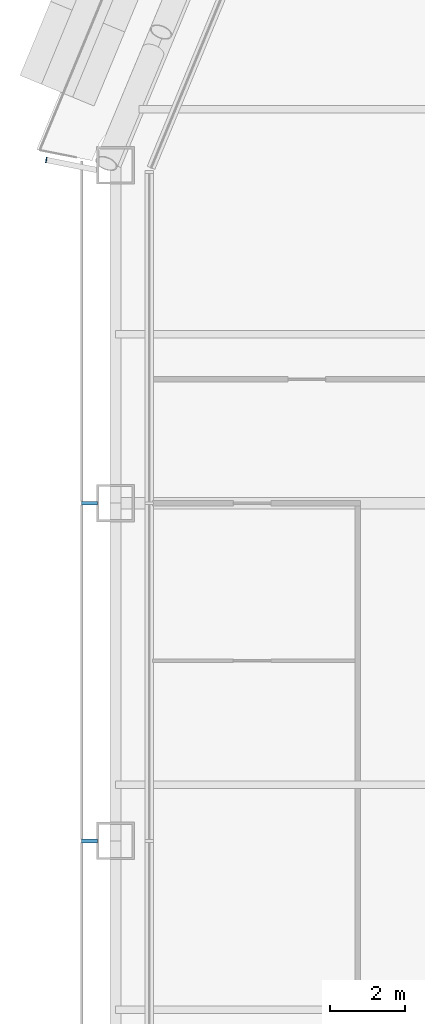
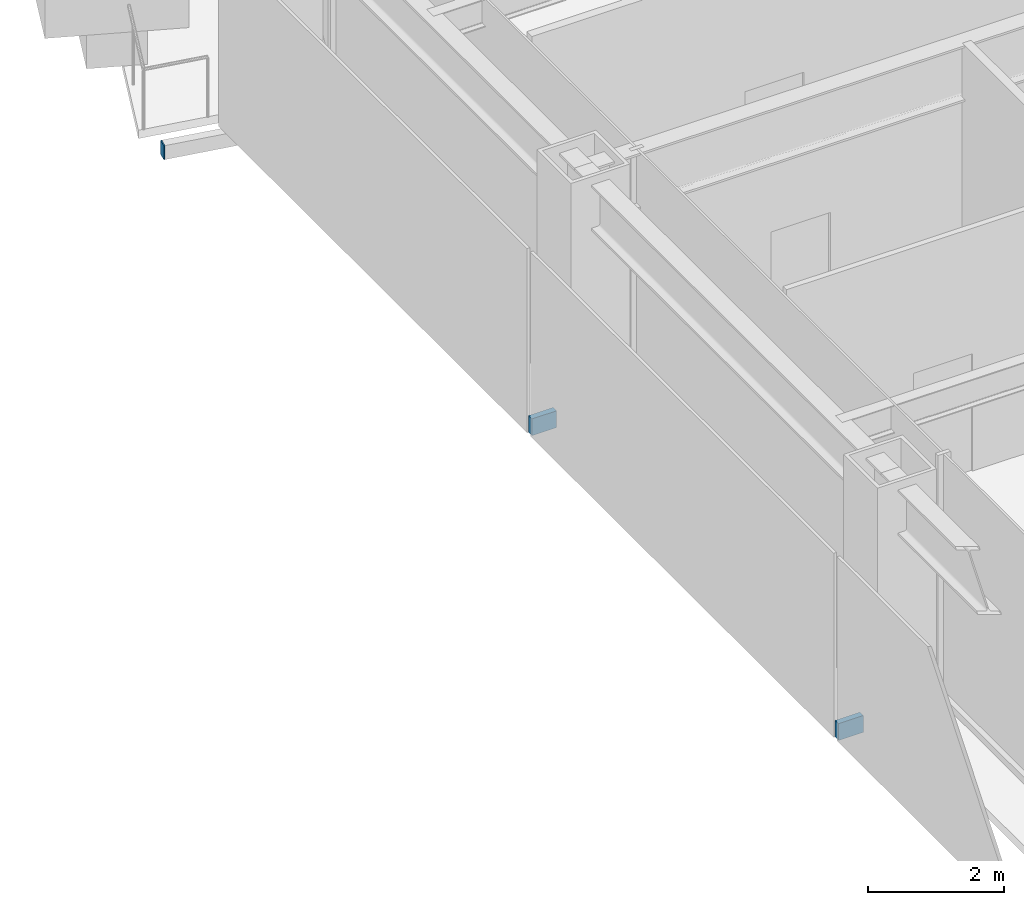
# One storey, part 18 of 28: 3 discrete accessories.
"""IFC4 building model written with IfcOpenShell, lengths in metres."""

from ifc_helpers import new_model, si_unit, direction, frame, origin, origin_2d, place, context, subcontext, project, spatial, rectangle, extrude, material, layer, layer_set, type_object, element, save


model = new_model("IFC4")

# Units and contexts
model_context = context("Model", 3, precision=1e-05, world=origin(), true_north=direction((0.0, 1.0)))
body_context = subcontext(model_context, "Body", "Model", "MODEL_VIEW")
ifc_project = project(units=[si_unit("LENGTHUNIT", "METRE"), si_unit("AREAUNIT", "SQUARE_METRE"), si_unit("VOLUMEUNIT", "CUBIC_METRE"), si_unit("PLANEANGLEUNIT", "RADIAN"), si_unit("MASSUNIT", "GRAM", prefix="KILO")], contexts=[model_context])

# Site, building, storey
site_placement = place(None, origin())
site = spatial("IfcSite", under=ifc_project, at=site_placement, CompositionType="ELEMENT")
building_placement = place(site_placement, origin())
building = spatial("IfcBuilding", under=site, at=building_placement, Name="Siwar Civic Tower", CompositionType="ELEMENT")
storey_placement = place(building_placement, frame((0.0, 0.0, 85.199951171875)))
storey = spatial("IfcBuildingStorey", under=building, at=storey_placement, Name="L18", CompositionType="ELEMENT", Elevation=85.199951171875)

# Discrete accessories
ifc_material_1 = material(Name="Stainless steel 316", Category="steel")
discrete_accessory_type_1 = type_object("IfcDiscreteAccessoryType", Name="ENV-BRACKET", PredefinedType="BRACKET", material=ifc_material_1)
for number, where, z_axis, x_axis, name in (
    (1, (-32.18994140625, 13.5, -0.14990234375), (0.0, 0.0, 1.0), (-1.0, 0.0, 0.0), "Bracket outer skin joint W-01"),
    (2, (-32.18994140625, 4.5, -0.14990234375), (0.0, 0.0, 1.0), (-1.0, 0.0, 0.0), "Bracket outer skin joint W-02"),
):
    element("IfcDiscreteAccessory", number, at=place(storey_placement, frame(where, z_axis=z_axis, x_axis=x_axis)), inside=storey, type_object=discrete_accessory_type_1, Name=name, PredefinedType="BRACKET", context=body_context, shape_type="SweptSolid", body=[
        extrude(rectangle(XDim=0.419921875, YDim=0.10009765625, at=origin_2d()), origin(), (0.0, 0.0, 1.0), 0.300048828125),
    ])
ifc_material_2 = material(Name="Steel S355", Category="steel")
ifc_layer = layer(ifc_material_2, 0.02001953125)
ifc_layer_set = layer_set([ifc_layer], Name="Steel S355")
discrete_accessory_type_2 = type_object("IfcDiscreteAccessoryType", Name="STR-END-CAP", PredefinedType="USERDEFINED", material=ifc_layer_set)
discrete_accessory_placement = place(storey_placement, frame((-33.3447265625, 22.642578125, -0.39990234375), z_axis=(0.0, 0.0, 1.0), x_axis=(-0.980785280383, 0.195090322119, 0.0)))
element("IfcDiscreteAccessory", 3, at=discrete_accessory_placement, inside=storey, type_object=discrete_accessory_type_2, Name="End cap plate Balcony cantilever beam NW 3", ObjectType="END CAP PLATE", PredefinedType="USERDEFINED", context=body_context, shape_type="SweptSolid", body=[
    extrude(rectangle(XDim=0.02001953125, YDim=0.14990234375, at=origin_2d()), origin(), (0.0, 0.0, 1.0), 0.25),
])

save(model, "model.ifc")
